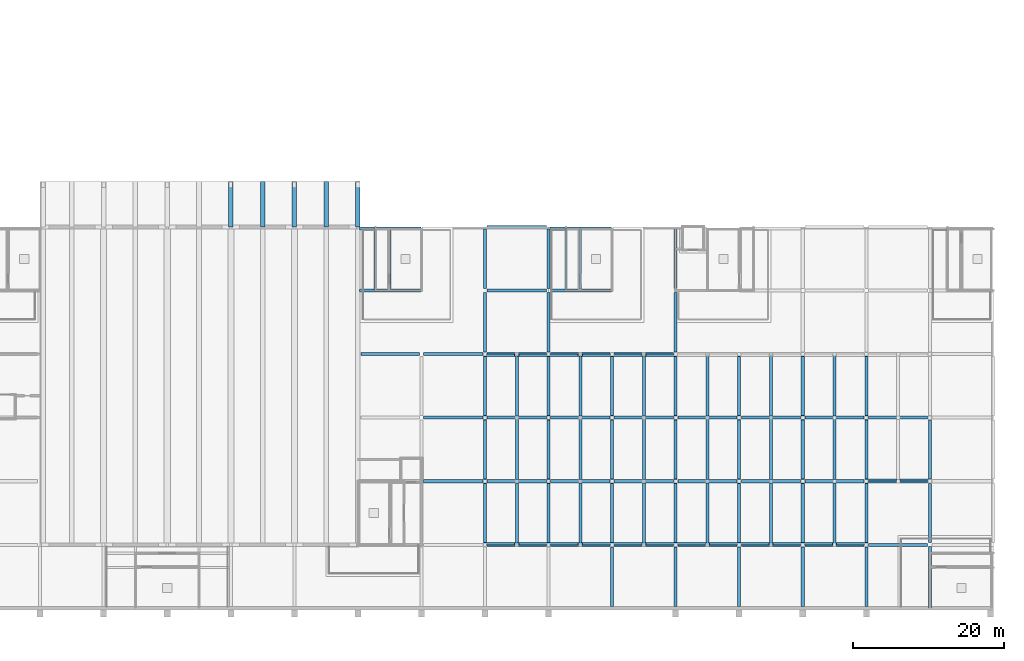
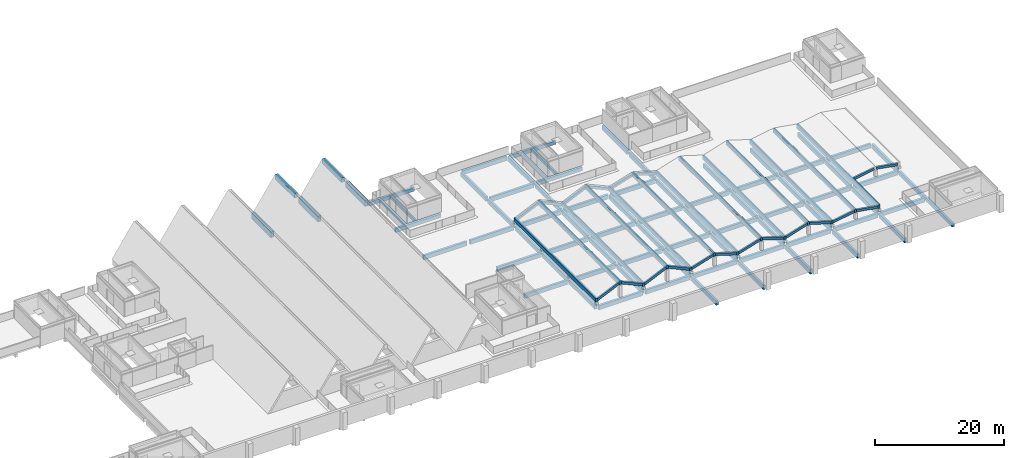
# One storey, part 2 of 24: 111 beams.
"""IFC4 building model written with IfcOpenShell, lengths in metres."""

from ifc_helpers import new_model, si_unit, direction, frame, origin, origin_2d, place, context, subcontext, project, spatial, rectangle, extrude, material, material_profile, profile_set, type_object, element, save


model = new_model("IFC4")

# Units and contexts
model_context = context("Model", 3, precision=1e-05, world=origin(), true_north=direction((0.0, 1.0)))
body_context = subcontext(model_context, "Body", "Model", "MODEL_VIEW")
ifc_project = project(units=[si_unit("LENGTHUNIT", "METRE"), si_unit("AREAUNIT", "SQUARE_METRE"), si_unit("VOLUMEUNIT", "CUBIC_METRE"), si_unit("PLANEANGLEUNIT", "RADIAN"), si_unit("MASSUNIT", "GRAM", prefix="KILO")], contexts=[model_context])

# Site, building, storey
site_placement = place(None, origin())
site = spatial("IfcSite", under=ifc_project, at=site_placement, CompositionType="ELEMENT")
building_placement = place(site_placement, origin())
building = spatial("IfcBuilding", under=site, at=building_placement, Name="Rulbaag Community and Learning Centre", CompositionType="ELEMENT")
storey_placement = place(building_placement, frame((0.0, 0.0, 14.39990234375)))
storey = spatial("IfcBuildingStorey", under=building, at=storey_placement, Name="L03", CompositionType="ELEMENT", Elevation=14.39990234375)

# Beams
ifc_material_1 = material(Name="Concrete M60", Category="concrete")
ifc_material_profile_1 = material_profile(ifc_material_1, rectangle(XDim=0.60009765625, YDim=1.10009765625, at=origin_2d()), Name="RB600x1100")
ifc_profile_set_1 = profile_set([ifc_material_profile_1], Name="Concrete M60")
beam_type_1 = type_object("IfcBeamType", Name="B3 Canopy valley cantilever beam 600x1100 Concrete M60", PredefinedType="BEAM", material=ifc_profile_set_1)
for number, where, z_axis, x_axis, name in (
    (1, (67.199951171875, 50.39990234375, -0.5498046875), (0.0, 1.0, 0.0), (-1.0, 0.0, 0.0), "BM-FV-M4-C"),
    (2, (75.60009765625, 50.39990234375, -0.5498046875), (0.0, 1.0, 0.0), (-1.0, 0.0, 0.0), "BM-FV-M5-C"),
    (3, (84.0, 50.39990234375, -0.5498046875), (0.0, 1.0, 0.0), (-1.0, 0.0, 0.0), "BM-FV-M6-C"),
):
    element("IfcBeam", number, at=place(storey_placement, frame(where, z_axis=z_axis, x_axis=x_axis)), inside=storey, type_object=beam_type_1, Name=name, PredefinedType="BEAM", context=body_context, shape_type="SweptSolid", body=[
        extrude(rectangle(XDim=0.60009765625, YDim=1.10009765625, at=origin_2d()), origin(), (0.0, 0.0, 1.0), 6.0),
    ])
ifc_material_2 = material(Name="Concrete M40", Category="concrete")
ifc_material_profile_2 = material_profile(ifc_material_2, rectangle(XDim=0.300048828125, YDim=0.60009765625, at=origin_2d()), Name="RB300x600")
ifc_profile_set_2 = profile_set([ifc_material_profile_2], Name="Concrete M40")
beam_type_2 = type_object("IfcBeamType", Name="B31 Trimmer beam 300x600 Concrete M40", PredefinedType="BEAM", material=ifc_profile_set_2)
beam_1_placement = place(storey_placement, frame((88.199951171875, 42.199951171875, -0.599853515625), z_axis=(0.0, 1.0, 0.0), x_axis=(-1.0, 0.0, 0.0)))
element("IfcBeam", 4, at=beam_1_placement, inside=storey, type_object=beam_type_2, Name="BM-TR-SH6-W", PredefinedType="BEAM", context=body_context, shape_type="SweptSolid", body=[
    extrude(rectangle(XDim=0.300048828125, YDim=0.60009765625, at=origin_2d()), origin(), (0.0, 0.0, 1.0), 8.0),
])
beam_2_placement = place(storey_placement, frame((86.300048828125, 42.10009765625, -0.599853515625), z_axis=(0.0, 1.0, 0.0), x_axis=(-1.0, 0.0, 0.0)))
element("IfcBeam", 5, at=beam_2_placement, inside=storey, type_object=beam_type_2, Name="BM-LB-SH6-O", PredefinedType="BEAM", context=body_context, shape_type="SweptSolid", body=[
    extrude(rectangle(XDim=0.300048828125, YDim=0.60009765625, at=origin_2d()), origin(), (0.0, 0.0, 1.0), 8.199951171875),
])
beam_3_placement = place(storey_placement, frame((113.39990234375, 42.199951171875, -0.599853515625), z_axis=(0.0, 1.0, 0.0), x_axis=(-1.0, 0.0, 0.0)))
element("IfcBeam", 6, at=beam_3_placement, inside=storey, type_object=beam_type_2, Name="BM-TR-SH7-W", PredefinedType="BEAM", context=body_context, shape_type="SweptSolid", body=[
    extrude(rectangle(XDim=0.300048828125, YDim=0.60009765625, at=origin_2d()), origin(), (0.0, 0.0, 1.0), 8.0),
])
beam_4_placement = place(storey_placement, frame((111.5, 42.10009765625, -0.599853515625), z_axis=(0.0, 1.0, 0.0), x_axis=(-1.0, 0.0, 0.0)))
element("IfcBeam", 7, at=beam_4_placement, inside=storey, type_object=beam_type_2, Name="BM-LB-SH7-O", PredefinedType="BEAM", context=body_context, shape_type="SweptSolid", body=[
    extrude(rectangle(XDim=0.300048828125, YDim=0.60009765625, at=origin_2d()), origin(), (0.0, 0.0, 1.0), 8.199951171875),
])
ifc_material_profile_3 = material_profile(ifc_material_2, rectangle(XDim=0.39990234375, YDim=0.699951171875, at=origin_2d()), Name="RB400x700")
ifc_profile_set_3 = profile_set([ifc_material_profile_3], Name="Concrete M40")
beam_type_3 = type_object("IfcBeamType", Name="B34 Lobby girder 400x700 Concrete M40", PredefinedType="BEAM", material=ifc_profile_set_3)
for number, where, z_axis, x_axis, name in (
    (8, (84.199951171875, 42.0, -0.599853515625), (1.0, 0.0, 0.0), (0.0, 1.0, 0.0), "BM-LBG-SH6-420"),
    (9, (84.199951171875, 50.22509765625, -0.599853515625), (1.0, 0.0, 0.0), (0.0, 1.0, 0.0), "BM-LBG-SH6-504"),
    (10, (109.39990234375, 42.0, -0.599853515625), (1.0, 0.0, 0.0), (0.0, 1.0, 0.0), "BM-LBG-SH7-420"),
    (11, (109.39990234375, 50.22509765625, -0.599853515625), (1.0, 0.0, 0.0), (0.0, 1.0, 0.0), "BM-LBG-SH7-504"),
):
    element("IfcBeam", number, at=place(storey_placement, frame(where, z_axis=z_axis, x_axis=x_axis)), inside=storey, type_object=beam_type_3, Name=name, PredefinedType="BEAM", context=body_context, shape_type="SweptSolid", body=[
        extrude(rectangle(XDim=0.39990234375, YDim=0.699951171875, at=origin_2d()), origin(), (0.0, 0.0, 1.0), 8.150146484375),
    ])
beam_5_placement = place(storey_placement, frame((159.60009765625, 0.050048828125, -0.599853515625), z_axis=(0.0, 1.0, 0.0), x_axis=(-1.0, 0.0, 0.0)))
element("IfcBeam", 12, at=beam_5_placement, inside=storey, type_object=beam_type_3, Name="BM-LBG-SH10-1596", PredefinedType="BEAM", context=body_context, shape_type="SweptSolid", body=[
    extrude(rectangle(XDim=0.39990234375, YDim=0.699951171875, at=origin_2d()), origin(), (0.0, 0.0, 1.0), 8.14990234375),
])
ifc_material_profile_4 = material_profile(ifc_material_2, rectangle(XDim=0.39990234375, YDim=0.699951171875, at=origin_2d()), Name="RB400x700")
ifc_profile_set_4 = profile_set([ifc_material_profile_4], Name="Concrete M40")
beam_type_4 = type_object("IfcBeamType", Name="B35 Roof fold beam 400x700 Concrete M40", PredefinedType="BEAM", material=ifc_profile_set_4)
for number, where, z_axis, x_axis, name in (
    (13, (100.800048828125, 8.39990234375, 0.75), (0.0, 1.0, 0.0), (-1.0, 0.0, 0.0), "BM-RF-VB13-1"),
    (14, (109.199951171875, 8.39990234375, 0.75), (0.0, 1.0, 0.0), (-1.0, 0.0, 0.0), "BM-RF-VB13-2"),
    (15, (117.60009765625, 8.39990234375, 0.75), (0.0, 1.0, 0.0), (-1.0, 0.0, 0.0), "BM-RF-VB13-3"),
    (16, (126.0, 8.39990234375, 0.75), (0.0, 1.0, 0.0), (-1.0, 0.0, 0.0), "BM-RF-VB13-4"),
    (17, (134.39990234375, 8.39990234375, 0.75), (0.0, 1.0, 0.0), (-1.0, 0.0, 0.0), "BM-RF-VB13-5"),
    (18, (142.800048828125, 8.39990234375, 0.75), (0.0, 1.0, 0.0), (-1.0, 0.0, 0.0), "BM-RF-VB13-6"),
    (19, (151.199951171875, 8.39990234375, 0.75), (0.0, 1.0, 0.0), (-1.0, 0.0, 0.0), "BM-RF-VB13-7"),
    (20, (105.0, 8.39990234375, 2.5595703125), (0.0, 1.0, 0.0), (-1.0, 0.0, 0.0), "BM-RF-RB13-1"),
    (21, (113.39990234375, 8.39990234375, 2.5595703125), (0.0, 1.0, 0.0), (-1.0, 0.0, 0.0), "BM-RF-RB13-2"),
    (22, (121.800048828125, 8.39990234375, 1.98828125), (0.0, 1.0, 0.0), (-1.0, 0.0, 0.0), "BM-RF-RB13-3"),
    (23, (130.199951171875, 8.39990234375, 1.98828125), (0.0, 1.0, 0.0), (-1.0, 0.0, 0.0), "BM-RF-RB13-4"),
    (24, (138.60009765625, 8.39990234375, 1.98828125), (0.0, 1.0, 0.0), (-1.0, 0.0, 0.0), "BM-RF-RB13-5"),
    (25, (147.0, 8.39990234375, 1.416748046875), (0.0, 1.0, 0.0), (-1.0, 0.0, 0.0), "BM-RF-RB13-6"),
):
    element("IfcBeam", number, at=place(storey_placement, frame(where, z_axis=z_axis, x_axis=x_axis)), inside=storey, type_object=beam_type_4, Name=name, PredefinedType="BEAM", context=body_context, shape_type="SweptSolid", body=[
        extrude(rectangle(XDim=0.39990234375, YDim=0.699951171875, at=origin_2d()), origin(), (0.0, 0.0, 1.0), 25.2001953125),
    ])
ifc_material_profile_5 = material_profile(ifc_material_2, rectangle(XDim=0.300048828125, YDim=0.449951171875, at=origin_2d()), Name="RB300x450")
ifc_profile_set_5 = profile_set([ifc_material_profile_5], Name="Concrete M40")
beam_type_5 = type_object("IfcBeamType", Name="B36 Fold end rib 300x450 Concrete M40", PredefinedType="BEAM", material=ifc_profile_set_5)
for number, where, z_axis, x_axis, name in (
    (26, (101.0, 8.550048828125, 0.7734375), (0.911114726677, 0.0, 0.412152829459), (0.0, 1.0, 0.0), "BM-RF-EB13-1a1"),
    (27, (101.0, 33.449951171875, 0.7734375), (0.911114726677, 0.0, 0.412152829459), (0.0, 1.0, 0.0), "BM-RF-EB13-1a2"),
    (28, (105.199951171875, 8.550048828125, 2.492431640625), (0.911114726677, 0.0, -0.412152829459), (0.0, 1.0, 0.0), "BM-RF-EB13-1b1"),
    (29, (105.199951171875, 33.449951171875, 2.492431640625), (0.911114726677, 0.0, -0.412152829459), (0.0, 1.0, 0.0), "BM-RF-EB13-1b2"),
    (30, (109.39990234375, 8.550048828125, 0.7734375), (0.911114726677, 0.0, 0.412152829459), (0.0, 1.0, 0.0), "BM-RF-EB13-2a1"),
    (31, (109.39990234375, 33.449951171875, 0.7734375), (0.911114726677, 0.0, 0.412152829459), (0.0, 1.0, 0.0), "BM-RF-EB13-2a2"),
    (32, (113.60009765625, 8.550048828125, 2.492431640625), (0.911104782354, 0.0, -0.412174811909), (0.0, 1.0, 0.0), "BM-RF-EB13-2b1"),
    (33, (113.60009765625, 33.449951171875, 2.492431640625), (0.911104782354, 0.0, -0.412174811909), (0.0, 1.0, 0.0), "BM-RF-EB13-2b2"),
):
    element("IfcBeam", number, at=place(storey_placement, frame(where, z_axis=z_axis, x_axis=x_axis)), inside=storey, type_object=beam_type_5, Name=name, PredefinedType="BEAM", context=body_context, shape_type="SweptSolid", body=[
        extrude(rectangle(XDim=0.300048828125, YDim=0.449951171875, at=origin_2d()), origin(), (0.0, 0.0, 1.0), 4.170654296875),
    ])
for number, where, z_axis, x_axis, name in (
    (34, (117.800048828125, 8.550048828125, 0.75390625), (0.955298685473, 0.0, 0.295642387917), (0.0, 1.0, 0.0), "BM-RF-EB13-3a1"),
    (35, (117.800048828125, 33.449951171875, 0.75390625), (0.955298685473, 0.0, 0.295642387917), (0.0, 1.0, 0.0), "BM-RF-EB13-3a2"),
    (36, (122.0, 8.550048828125, 1.929931640625), (0.955298685473, 0.0, -0.295642387917), (0.0, 1.0, 0.0), "BM-RF-EB13-3b1"),
    (37, (122.0, 33.449951171875, 1.929931640625), (0.955298685473, 0.0, -0.295642387917), (0.0, 1.0, 0.0), "BM-RF-EB13-3b2"),
    (38, (126.199951171875, 8.550048828125, 0.75390625), (0.955298685473, 0.0, 0.295642387917), (0.0, 1.0, 0.0), "BM-RF-EB13-4a1"),
    (39, (130.39990234375, 8.550048828125, 1.929931640625), (0.955298685473, 0.0, -0.295642387917), (0.0, 1.0, 0.0), "BM-RF-EB13-4b1"),
):
    element("IfcBeam", number, at=place(storey_placement, frame(where, z_axis=z_axis, x_axis=x_axis)), inside=storey, type_object=beam_type_5, Name=name, PredefinedType="BEAM", context=body_context, shape_type="SweptSolid", body=[
        extrude(rectangle(XDim=0.300048828125, YDim=0.449951171875, at=origin_2d()), origin(), (0.0, 0.0, 1.0), 3.977783203125),
    ])
beam_6_placement = place(storey_placement, frame((134.60009765625, 8.550048828125, 0.75390625), z_axis=(0.955293320573, 0.0, 0.29565972277), x_axis=(0.0, 1.0, 0.0)))
element("IfcBeam", 40, at=beam_6_placement, inside=storey, type_object=beam_type_5, Name="BM-RF-EB13-5a1", PredefinedType="BEAM", context=body_context, shape_type="SweptSolid", body=[
    extrude(rectangle(XDim=0.300048828125, YDim=0.449951171875, at=origin_2d()), origin(), (0.0, 0.0, 1.0), 3.9775390625),
])
beam_7_placement = place(storey_placement, frame((138.800048828125, 8.550048828125, 1.929931640625), z_axis=(0.955298685473, 0.0, -0.295642387917), x_axis=(0.0, 1.0, 0.0)))
element("IfcBeam", 41, at=beam_7_placement, inside=storey, type_object=beam_type_5, Name="BM-RF-EB13-5b1", PredefinedType="BEAM", context=body_context, shape_type="SweptSolid", body=[
    extrude(rectangle(XDim=0.300048828125, YDim=0.449951171875, at=origin_2d()), origin(), (0.0, 0.0, 1.0), 3.977783203125),
])
for number, where, z_axis, x_axis, name in (
    (42, (143.0, 8.550048828125, 0.73095703125), (0.986385358709, 0.0, 0.164450369794), (0.0, 1.0, 0.0), "BM-RF-EB13-6a1"),
    (43, (147.199951171875, 8.550048828125, 1.364501953125), (0.986385358709, 0.0, -0.164450369794), (0.0, 1.0, 0.0), "BM-RF-EB13-6b1"),
    (44, (151.39990234375, 16.949951171875, 0.73095703125), (0.986385358709, 0.0, 0.164450369794), (0.0, 1.0, 0.0), "BM-RF-EC19-1a1"),
):
    element("IfcBeam", number, at=place(storey_placement, frame(where, z_axis=z_axis, x_axis=x_axis)), inside=storey, type_object=beam_type_5, Name=name, PredefinedType="BEAM", context=body_context, shape_type="SweptSolid", body=[
        extrude(rectangle(XDim=0.300048828125, YDim=0.449951171875, at=origin_2d()), origin(), (0.0, 0.0, 1.0), 3.8525390625),
    ])
beam_8_placement = place(storey_placement, frame((155.60009765625, 16.949951171875, 1.364501953125), z_axis=(0.98638364472, 0.0, -0.164460650093), x_axis=(0.0, 1.0, 0.0)))
element("IfcBeam", 45, at=beam_8_placement, inside=storey, type_object=beam_type_5, Name="BM-RF-EC19-1b1", PredefinedType="BEAM", context=body_context, shape_type="SweptSolid", body=[
    extrude(rectangle(XDim=0.300048828125, YDim=0.449951171875, at=origin_2d()), origin(), (0.0, 0.0, 1.0), 3.852294921875),
])
ifc_material_profile_6 = material_profile(ifc_material_2, rectangle(XDim=0.60009765625, YDim=0.85009765625, at=origin_2d()), Name="RB600x850")
ifc_profile_set_6 = profile_set([ifc_material_profile_6], Name="Concrete M40")
beam_type_6 = type_object("IfcBeamType", Name="B4 Canopy ridge cantilever beam 600x850 Concrete M40", PredefinedType="BEAM", material=ifc_profile_set_6)
for number, where, z_axis, x_axis, name in (
    (46, (71.39990234375, 50.39990234375, 5.332275390625), (0.0, 1.0, 0.0), (-1.0, 0.0, 0.0), "BM-FR-M4-C"),
    (47, (79.800048828125, 50.39990234375, 5.332275390625), (0.0, 1.0, 0.0), (-1.0, 0.0, 0.0), "BM-FR-M5-C"),
):
    element("IfcBeam", number, at=place(storey_placement, frame(where, z_axis=z_axis, x_axis=x_axis)), inside=storey, type_object=beam_type_6, Name=name, PredefinedType="BEAM", context=body_context, shape_type="SweptSolid", body=[
        extrude(rectangle(XDim=0.60009765625, YDim=0.85009765625, at=origin_2d()), origin(), (0.0, 0.0, 1.0), 6.0),
    ])
ifc_material_profile_7 = material_profile(ifc_material_2, rectangle(XDim=0.39990234375, YDim=0.800048828125, at=origin_2d()), Name="RB400x800")
ifc_profile_set_7 = profile_set([ifc_material_profile_7], Name="Concrete M40")
beam_type_7 = type_object("IfcBeamType", Name="B9 Terrace beam 400x800 Concrete M40", PredefinedType="BEAM", material=ifc_profile_set_7)
beam_9_placement = place(storey_placement, frame((84.3798828125, 33.60009765625, -0.699951171875), z_axis=(1.0, 0.0, 0.0), x_axis=(0.0, 1.0, 0.0)))
element("IfcBeam", 48, at=beam_9_placement, inside=storey, type_object=beam_type_7, Name="BM-L03-11E-12E", PredefinedType="BEAM", context=body_context, shape_type="SweptSolid", body=[
    extrude(rectangle(XDim=0.39990234375, YDim=0.800048828125, at=origin_2d()), origin(), (0.0, 0.0, 1.0), 7.740234375),
])
for number, where, z_axis, x_axis, name in (
    (49, (92.679931640625, 16.800048828125, -0.699951171875), (1.0, 0.0, 0.0), (0.0, 1.0, 0.0), "BM-L03-12C-13C"),
    (50, (92.679931640625, 25.199951171875, -0.699951171875), (1.0, 0.0, 0.0), (0.0, 1.0, 0.0), "BM-L03-12D-13D"),
    (51, (92.679931640625, 33.60009765625, -0.699951171875), (1.0, 0.0, 0.0), (0.0, 1.0, 0.0), "BM-L03-12E-13E"),
):
    element("IfcBeam", number, at=place(storey_placement, frame(where, z_axis=z_axis, x_axis=x_axis)), inside=storey, type_object=beam_type_7, Name=name, PredefinedType="BEAM", context=body_context, shape_type="SweptSolid", body=[
        extrude(rectangle(XDim=0.39990234375, YDim=0.800048828125, at=origin_2d()), origin(), (0.0, 0.0, 1.0), 7.840087890625),
    ])
beam_10_placement = place(storey_placement, frame((101.080078125, 8.39990234375, -0.699951171875), z_axis=(1.0, 0.0, 0.0), x_axis=(0.0, 1.0, 0.0)))
element("IfcBeam", 52, at=beam_10_placement, inside=storey, type_object=beam_type_7, Name="BM-L03-13B-14B", PredefinedType="BEAM", context=body_context, shape_type="SweptSolid", body=[
    extrude(rectangle(XDim=0.39990234375, YDim=0.800048828125, at=origin_2d()), origin(), (0.0, 0.0, 1.0), 7.83984375),
])
beam_11_placement = place(storey_placement, frame((100.800048828125, 8.679931640625, -0.699951171875), z_axis=(0.0, 1.0, 0.0), x_axis=(-1.0, 0.0, 0.0)))
element("IfcBeam", 53, at=beam_11_placement, inside=storey, type_object=beam_type_7, Name="BM-L03-13B-13C", PredefinedType="BEAM", context=body_context, shape_type="SweptSolid", body=[
    extrude(rectangle(XDim=0.39990234375, YDim=0.800048828125, at=origin_2d()), origin(), (0.0, 0.0, 1.0), 7.840087890625),
])
for number, where, z_axis, x_axis, name in (
    (54, (101.080078125, 16.800048828125, -0.699951171875), (1.0, 0.0, 0.0), (0.0, 1.0, 0.0), "BM-L03-13C-14C"),
    (55, (100.800048828125, 17.080078125, -0.699951171875), (0.0, 1.0, 0.0), (-1.0, 0.0, 0.0), "BM-L03-13C-13D"),
    (56, (101.080078125, 25.199951171875, -0.699951171875), (1.0, 0.0, 0.0), (0.0, 1.0, 0.0), "BM-L03-13D-14D"),
):
    element("IfcBeam", number, at=place(storey_placement, frame(where, z_axis=z_axis, x_axis=x_axis)), inside=storey, type_object=beam_type_7, Name=name, PredefinedType="BEAM", context=body_context, shape_type="SweptSolid", body=[
        extrude(rectangle(XDim=0.39990234375, YDim=0.800048828125, at=origin_2d()), origin(), (0.0, 0.0, 1.0), 7.83984375),
    ])
beam_12_placement = place(storey_placement, frame((100.800048828125, 25.47998046875, -0.699951171875), z_axis=(0.0, 1.0, 0.0), x_axis=(-1.0, 0.0, 0.0)))
element("IfcBeam", 57, at=beam_12_placement, inside=storey, type_object=beam_type_7, Name="BM-L03-13D-13E", PredefinedType="BEAM", context=body_context, shape_type="SweptSolid", body=[
    extrude(rectangle(XDim=0.39990234375, YDim=0.800048828125, at=origin_2d()), origin(), (0.0, 0.0, 1.0), 7.840087890625),
])
beam_13_placement = place(storey_placement, frame((101.080078125, 33.60009765625, -0.699951171875), z_axis=(1.0, 0.0, 0.0), x_axis=(0.0, 1.0, 0.0)))
element("IfcBeam", 58, at=beam_13_placement, inside=storey, type_object=beam_type_7, Name="BM-L03-13E-14E", PredefinedType="BEAM", context=body_context, shape_type="SweptSolid", body=[
    extrude(rectangle(XDim=0.39990234375, YDim=0.800048828125, at=origin_2d()), origin(), (0.0, 0.0, 1.0), 7.83984375),
])
beam_14_placement = place(storey_placement, frame((100.800048828125, 33.8798828125, -0.699951171875), z_axis=(0.0, 1.0, 0.0), x_axis=(-1.0, 0.0, 0.0)))
element("IfcBeam", 59, at=beam_14_placement, inside=storey, type_object=beam_type_7, Name="BM-L03-13E-13F", PredefinedType="BEAM", context=body_context, shape_type="SweptSolid", body=[
    extrude(rectangle(XDim=0.39990234375, YDim=0.800048828125, at=origin_2d()), origin(), (0.0, 0.0, 1.0), 7.840087890625),
])
beam_15_placement = place(storey_placement, frame((101.080078125, 42.0, -0.699951171875), z_axis=(1.0, 0.0, 0.0), x_axis=(0.0, 1.0, 0.0)))
element("IfcBeam", 60, at=beam_15_placement, inside=storey, type_object=beam_type_7, Name="BM-L03-13F-14F", PredefinedType="BEAM", context=body_context, shape_type="SweptSolid", body=[
    extrude(rectangle(XDim=0.39990234375, YDim=0.800048828125, at=origin_2d()), origin(), (0.0, 0.0, 1.0), 7.83984375),
])
beam_16_placement = place(storey_placement, frame((100.800048828125, 42.280029296875, -0.699951171875), z_axis=(0.0, 1.0, 0.0), x_axis=(-1.0, 0.0, 0.0)))
element("IfcBeam", 61, at=beam_16_placement, inside=storey, type_object=beam_type_7, Name="BM-L03-13F-13G", PredefinedType="BEAM", context=body_context, shape_type="SweptSolid", body=[
    extrude(rectangle(XDim=0.39990234375, YDim=0.800048828125, at=origin_2d()), origin(), (0.0, 0.0, 1.0), 7.840087890625),
])
beam_17_placement = place(storey_placement, frame((101.080078125, 50.39990234375, -0.699951171875), z_axis=(1.0, 0.0, 0.0), x_axis=(0.0, 1.0, 0.0)))
element("IfcBeam", 62, at=beam_17_placement, inside=storey, type_object=beam_type_7, Name="BM-L03-13G-14G", PredefinedType="BEAM", context=body_context, shape_type="SweptSolid", body=[
    extrude(rectangle(XDim=0.39990234375, YDim=0.800048828125, at=origin_2d()), origin(), (0.0, 0.0, 1.0), 7.83984375),
])
for number, where, z_axis, x_axis, name in (
    (63, (109.47998046875, 8.39990234375, -0.699951171875), (1.0, 0.0, 0.0), (0.0, 1.0, 0.0), "BM-L03-14B-15B"),
    (64, (109.199951171875, 8.679931640625, -0.699951171875), (0.0, 1.0, 0.0), (-1.0, 0.0, 0.0), "BM-L03-14B-14C"),
    (65, (109.47998046875, 16.800048828125, -0.699951171875), (1.0, 0.0, 0.0), (0.0, 1.0, 0.0), "BM-L03-14C-15C"),
):
    element("IfcBeam", number, at=place(storey_placement, frame(where, z_axis=z_axis, x_axis=x_axis)), inside=storey, type_object=beam_type_7, Name=name, PredefinedType="BEAM", context=body_context, shape_type="SweptSolid", body=[
        extrude(rectangle(XDim=0.39990234375, YDim=0.800048828125, at=origin_2d()), origin(), (0.0, 0.0, 1.0), 7.840087890625),
    ])
beam_18_placement = place(storey_placement, frame((109.199951171875, 17.080078125, -0.699951171875), z_axis=(0.0, 1.0, 0.0), x_axis=(-1.0, 0.0, 0.0)))
element("IfcBeam", 66, at=beam_18_placement, inside=storey, type_object=beam_type_7, Name="BM-L03-14C-14D", PredefinedType="BEAM", context=body_context, shape_type="SweptSolid", body=[
    extrude(rectangle(XDim=0.39990234375, YDim=0.800048828125, at=origin_2d()), origin(), (0.0, 0.0, 1.0), 7.83984375),
])
for number, where, z_axis, x_axis, name in (
    (67, (109.47998046875, 25.199951171875, -0.699951171875), (1.0, 0.0, 0.0), (0.0, 1.0, 0.0), "BM-L03-14D-15D"),
    (68, (109.199951171875, 25.47998046875, -0.699951171875), (0.0, 1.0, 0.0), (-1.0, 0.0, 0.0), "BM-L03-14D-14E"),
    (69, (109.47998046875, 33.60009765625, -0.699951171875), (1.0, 0.0, 0.0), (0.0, 1.0, 0.0), "BM-L03-14E-15E"),
    (70, (109.199951171875, 33.8798828125, -0.699951171875), (0.0, 1.0, 0.0), (-1.0, 0.0, 0.0), "BM-L03-14E-14F"),
    (71, (109.199951171875, 42.280029296875, -0.699951171875), (0.0, 1.0, 0.0), (-1.0, 0.0, 0.0), "BM-L03-14F-14G"),
):
    element("IfcBeam", number, at=place(storey_placement, frame(where, z_axis=z_axis, x_axis=x_axis)), inside=storey, type_object=beam_type_7, Name=name, PredefinedType="BEAM", context=body_context, shape_type="SweptSolid", body=[
        extrude(rectangle(XDim=0.39990234375, YDim=0.800048828125, at=origin_2d()), origin(), (0.0, 0.0, 1.0), 7.840087890625),
    ])
beam_19_placement = place(storey_placement, frame((117.60009765625, 0.22509765625, -0.699951171875), z_axis=(0.0, 1.0, 0.0), x_axis=(-1.0, 0.0, 0.0)))
element("IfcBeam", 72, at=beam_19_placement, inside=storey, type_object=beam_type_7, Name="BM-L03-15A-15B", PredefinedType="BEAM", context=body_context, shape_type="SweptSolid", body=[
    extrude(rectangle(XDim=0.39990234375, YDim=0.800048828125, at=origin_2d()), origin(), (0.0, 0.0, 1.0), 7.89501953125),
])
for number, where, z_axis, x_axis, name in (
    (73, (117.8798828125, 8.39990234375, -0.699951171875), (1.0, 0.0, 0.0), (0.0, 1.0, 0.0), "BM-L03-15B-16B"),
    (74, (117.60009765625, 8.679931640625, -0.699951171875), (0.0, 1.0, 0.0), (-1.0, 0.0, 0.0), "BM-L03-15B-15C"),
    (75, (117.8798828125, 16.800048828125, -0.699951171875), (1.0, 0.0, 0.0), (0.0, 1.0, 0.0), "BM-L03-15C-16C"),
):
    element("IfcBeam", number, at=place(storey_placement, frame(where, z_axis=z_axis, x_axis=x_axis)), inside=storey, type_object=beam_type_7, Name=name, PredefinedType="BEAM", context=body_context, shape_type="SweptSolid", body=[
        extrude(rectangle(XDim=0.39990234375, YDim=0.800048828125, at=origin_2d()), origin(), (0.0, 0.0, 1.0), 7.840087890625),
    ])
beam_20_placement = place(storey_placement, frame((117.60009765625, 17.080078125, -0.699951171875), z_axis=(0.0, 1.0, 0.0), x_axis=(-1.0, 0.0, 0.0)))
element("IfcBeam", 76, at=beam_20_placement, inside=storey, type_object=beam_type_7, Name="BM-L03-15C-15D", PredefinedType="BEAM", context=body_context, shape_type="SweptSolid", body=[
    extrude(rectangle(XDim=0.39990234375, YDim=0.800048828125, at=origin_2d()), origin(), (0.0, 0.0, 1.0), 7.83984375),
])
for number, where, z_axis, x_axis, name in (
    (77, (117.8798828125, 25.199951171875, -0.699951171875), (1.0, 0.0, 0.0), (0.0, 1.0, 0.0), "BM-L03-15D-16D"),
    (78, (117.60009765625, 25.47998046875, -0.699951171875), (0.0, 1.0, 0.0), (-1.0, 0.0, 0.0), "BM-L03-15D-15E"),
    (79, (117.8798828125, 33.60009765625, -0.699951171875), (1.0, 0.0, 0.0), (0.0, 1.0, 0.0), "BM-L03-15E-16E"),
):
    element("IfcBeam", number, at=place(storey_placement, frame(where, z_axis=z_axis, x_axis=x_axis)), inside=storey, type_object=beam_type_7, Name=name, PredefinedType="BEAM", context=body_context, shape_type="SweptSolid", body=[
        extrude(rectangle(XDim=0.39990234375, YDim=0.800048828125, at=origin_2d()), origin(), (0.0, 0.0, 1.0), 7.840087890625),
    ])
beam_21_placement = place(storey_placement, frame((126.0, 0.22509765625, -0.699951171875), z_axis=(0.0, 1.0, 0.0), x_axis=(-1.0, 0.0, 0.0)))
element("IfcBeam", 80, at=beam_21_placement, inside=storey, type_object=beam_type_7, Name="BM-L03-16A-16B", PredefinedType="BEAM", context=body_context, shape_type="SweptSolid", body=[
    extrude(rectangle(XDim=0.39990234375, YDim=0.800048828125, at=origin_2d()), origin(), (0.0, 0.0, 1.0), 7.89501953125),
])
for number, where, z_axis, x_axis, name in (
    (81, (126.280029296875, 8.39990234375, -0.699951171875), (1.0, 0.0, 0.0), (0.0, 1.0, 0.0), "BM-L03-16B-17B"),
    (82, (126.0, 8.679931640625, -0.699951171875), (0.0, 1.0, 0.0), (-1.0, 0.0, 0.0), "BM-L03-16B-16C"),
    (83, (126.280029296875, 16.800048828125, -0.699951171875), (1.0, 0.0, 0.0), (0.0, 1.0, 0.0), "BM-L03-16C-17C"),
):
    element("IfcBeam", number, at=place(storey_placement, frame(where, z_axis=z_axis, x_axis=x_axis)), inside=storey, type_object=beam_type_7, Name=name, PredefinedType="BEAM", context=body_context, shape_type="SweptSolid", body=[
        extrude(rectangle(XDim=0.39990234375, YDim=0.800048828125, at=origin_2d()), origin(), (0.0, 0.0, 1.0), 7.840087890625),
    ])
beam_22_placement = place(storey_placement, frame((126.0, 17.080078125, -0.699951171875), z_axis=(0.0, 1.0, 0.0), x_axis=(-1.0, 0.0, 0.0)))
element("IfcBeam", 84, at=beam_22_placement, inside=storey, type_object=beam_type_7, Name="BM-L03-16C-16D", PredefinedType="BEAM", context=body_context, shape_type="SweptSolid", body=[
    extrude(rectangle(XDim=0.39990234375, YDim=0.800048828125, at=origin_2d()), origin(), (0.0, 0.0, 1.0), 7.83984375),
])
for number, where, z_axis, x_axis, name in (
    (85, (126.280029296875, 25.199951171875, -0.699951171875), (1.0, 0.0, 0.0), (0.0, 1.0, 0.0), "BM-L03-16D-17D"),
    (86, (126.0, 25.47998046875, -0.699951171875), (0.0, 1.0, 0.0), (-1.0, 0.0, 0.0), "BM-L03-16D-16E"),
    (87, (126.0, 33.8798828125, -0.699951171875), (0.0, 1.0, 0.0), (-1.0, 0.0, 0.0), "BM-L03-16E-16F"),
    (88, (126.0, 42.280029296875, -0.699951171875), (0.0, 1.0, 0.0), (-1.0, 0.0, 0.0), "BM-L03-16F-16G"),
):
    element("IfcBeam", number, at=place(storey_placement, frame(where, z_axis=z_axis, x_axis=x_axis)), inside=storey, type_object=beam_type_7, Name=name, PredefinedType="BEAM", context=body_context, shape_type="SweptSolid", body=[
        extrude(rectangle(XDim=0.39990234375, YDim=0.800048828125, at=origin_2d()), origin(), (0.0, 0.0, 1.0), 7.840087890625),
    ])
beam_23_placement = place(storey_placement, frame((134.39990234375, 0.22509765625, -0.699951171875), z_axis=(0.0, 1.0, 0.0), x_axis=(-1.0, 0.0, 0.0)))
element("IfcBeam", 89, at=beam_23_placement, inside=storey, type_object=beam_type_7, Name="BM-L03-17A-17B", PredefinedType="BEAM", context=body_context, shape_type="SweptSolid", body=[
    extrude(rectangle(XDim=0.39990234375, YDim=0.800048828125, at=origin_2d()), origin(), (0.0, 0.0, 1.0), 7.89501953125),
])
for number, where, z_axis, x_axis, name in (
    (90, (134.679931640625, 8.39990234375, -0.699951171875), (1.0, 0.0, 0.0), (0.0, 1.0, 0.0), "BM-L03-17B-18B"),
    (91, (134.39990234375, 8.679931640625, -0.699951171875), (0.0, 1.0, 0.0), (-1.0, 0.0, 0.0), "BM-L03-17B-17C"),
    (92, (134.679931640625, 16.800048828125, -0.699951171875), (1.0, 0.0, 0.0), (0.0, 1.0, 0.0), "BM-L03-17C-18C"),
):
    element("IfcBeam", number, at=place(storey_placement, frame(where, z_axis=z_axis, x_axis=x_axis)), inside=storey, type_object=beam_type_7, Name=name, PredefinedType="BEAM", context=body_context, shape_type="SweptSolid", body=[
        extrude(rectangle(XDim=0.39990234375, YDim=0.800048828125, at=origin_2d()), origin(), (0.0, 0.0, 1.0), 7.840087890625),
    ])
beam_24_placement = place(storey_placement, frame((134.39990234375, 17.080078125, -0.699951171875), z_axis=(0.0, 1.0, 0.0), x_axis=(-1.0, 0.0, 0.0)))
element("IfcBeam", 93, at=beam_24_placement, inside=storey, type_object=beam_type_7, Name="BM-L03-17C-17D", PredefinedType="BEAM", context=body_context, shape_type="SweptSolid", body=[
    extrude(rectangle(XDim=0.39990234375, YDim=0.800048828125, at=origin_2d()), origin(), (0.0, 0.0, 1.0), 7.83984375),
])
for number, where, z_axis, x_axis, name in (
    (94, (134.679931640625, 25.199951171875, -0.699951171875), (1.0, 0.0, 0.0), (0.0, 1.0, 0.0), "BM-L03-17D-18D"),
    (95, (134.39990234375, 25.47998046875, -0.699951171875), (0.0, 1.0, 0.0), (-1.0, 0.0, 0.0), "BM-L03-17D-17E"),
):
    element("IfcBeam", number, at=place(storey_placement, frame(where, z_axis=z_axis, x_axis=x_axis)), inside=storey, type_object=beam_type_7, Name=name, PredefinedType="BEAM", context=body_context, shape_type="SweptSolid", body=[
        extrude(rectangle(XDim=0.39990234375, YDim=0.800048828125, at=origin_2d()), origin(), (0.0, 0.0, 1.0), 7.840087890625),
    ])
beam_25_placement = place(storey_placement, frame((142.800048828125, 0.22509765625, -0.699951171875), z_axis=(0.0, 1.0, 0.0), x_axis=(-1.0, 0.0, 0.0)))
element("IfcBeam", 96, at=beam_25_placement, inside=storey, type_object=beam_type_7, Name="BM-L03-18A-18B", PredefinedType="BEAM", context=body_context, shape_type="SweptSolid", body=[
    extrude(rectangle(XDim=0.39990234375, YDim=0.800048828125, at=origin_2d()), origin(), (0.0, 0.0, 1.0), 7.89501953125),
])
beam_26_placement = place(storey_placement, frame((143.080078125, 8.39990234375, -0.699951171875), z_axis=(1.0, 0.0, 0.0), x_axis=(0.0, 1.0, 0.0)))
element("IfcBeam", 97, at=beam_26_placement, inside=storey, type_object=beam_type_7, Name="BM-L03-18B-19B", PredefinedType="BEAM", context=body_context, shape_type="SweptSolid", body=[
    extrude(rectangle(XDim=0.39990234375, YDim=0.800048828125, at=origin_2d()), origin(), (0.0, 0.0, 1.0), 7.83984375),
])
beam_27_placement = place(storey_placement, frame((142.800048828125, 8.679931640625, -0.699951171875), z_axis=(0.0, 1.0, 0.0), x_axis=(-1.0, 0.0, 0.0)))
element("IfcBeam", 98, at=beam_27_placement, inside=storey, type_object=beam_type_7, Name="BM-L03-18B-18C", PredefinedType="BEAM", context=body_context, shape_type="SweptSolid", body=[
    extrude(rectangle(XDim=0.39990234375, YDim=0.800048828125, at=origin_2d()), origin(), (0.0, 0.0, 1.0), 7.840087890625),
])
for number, where, z_axis, x_axis, name in (
    (99, (143.080078125, 16.800048828125, -0.699951171875), (1.0, 0.0, 0.0), (0.0, 1.0, 0.0), "BM-L03-18C-19C"),
    (100, (142.800048828125, 17.080078125, -0.699951171875), (0.0, 1.0, 0.0), (-1.0, 0.0, 0.0), "BM-L03-18C-18D"),
    (101, (143.080078125, 25.199951171875, -0.699951171875), (1.0, 0.0, 0.0), (0.0, 1.0, 0.0), "BM-L03-18D-19D"),
):
    element("IfcBeam", number, at=place(storey_placement, frame(where, z_axis=z_axis, x_axis=x_axis)), inside=storey, type_object=beam_type_7, Name=name, PredefinedType="BEAM", context=body_context, shape_type="SweptSolid", body=[
        extrude(rectangle(XDim=0.39990234375, YDim=0.800048828125, at=origin_2d()), origin(), (0.0, 0.0, 1.0), 7.83984375),
    ])
beam_28_placement = place(storey_placement, frame((142.800048828125, 25.47998046875, -0.699951171875), z_axis=(0.0, 1.0, 0.0), x_axis=(-1.0, 0.0, 0.0)))
element("IfcBeam", 102, at=beam_28_placement, inside=storey, type_object=beam_type_7, Name="BM-L03-18D-18E", PredefinedType="BEAM", context=body_context, shape_type="SweptSolid", body=[
    extrude(rectangle(XDim=0.39990234375, YDim=0.800048828125, at=origin_2d()), origin(), (0.0, 0.0, 1.0), 7.840087890625),
])
beam_29_placement = place(storey_placement, frame((151.199951171875, 0.22509765625, -0.699951171875), z_axis=(0.0, 1.0, 0.0), x_axis=(-1.0, 0.0, 0.0)))
element("IfcBeam", 103, at=beam_29_placement, inside=storey, type_object=beam_type_7, Name="BM-L03-19A-19B", PredefinedType="BEAM", context=body_context, shape_type="SweptSolid", body=[
    extrude(rectangle(XDim=0.39990234375, YDim=0.800048828125, at=origin_2d()), origin(), (0.0, 0.0, 1.0), 7.89501953125),
])
for number, where, z_axis, x_axis, name in (
    (104, (151.47998046875, 8.39990234375, -0.699951171875), (1.0, 0.0, 0.0), (0.0, 1.0, 0.0), "BM-L03-19B-20B"),
    (105, (151.199951171875, 8.679931640625, -0.699951171875), (0.0, 1.0, 0.0), (-1.0, 0.0, 0.0), "BM-L03-19B-19C"),
    (106, (151.47998046875, 16.800048828125, -0.699951171875), (1.0, 0.0, 0.0), (0.0, 1.0, 0.0), "BM-L03-19C-20C"),
):
    element("IfcBeam", number, at=place(storey_placement, frame(where, z_axis=z_axis, x_axis=x_axis)), inside=storey, type_object=beam_type_7, Name=name, PredefinedType="BEAM", context=body_context, shape_type="SweptSolid", body=[
        extrude(rectangle(XDim=0.39990234375, YDim=0.800048828125, at=origin_2d()), origin(), (0.0, 0.0, 1.0), 7.840087890625),
    ])
beam_30_placement = place(storey_placement, frame((151.199951171875, 17.080078125, -0.699951171875), z_axis=(0.0, 1.0, 0.0), x_axis=(-1.0, 0.0, 0.0)))
element("IfcBeam", 107, at=beam_30_placement, inside=storey, type_object=beam_type_7, Name="BM-L03-19C-19D", PredefinedType="BEAM", context=body_context, shape_type="SweptSolid", body=[
    extrude(rectangle(XDim=0.39990234375, YDim=0.800048828125, at=origin_2d()), origin(), (0.0, 0.0, 1.0), 7.83984375),
])
for number, where, z_axis, x_axis, name in (
    (108, (151.47998046875, 25.199951171875, -0.699951171875), (1.0, 0.0, 0.0), (0.0, 1.0, 0.0), "BM-L03-19D-20D"),
    (109, (151.199951171875, 25.47998046875, -0.699951171875), (0.0, 1.0, 0.0), (-1.0, 0.0, 0.0), "BM-L03-19D-19E"),
    (110, (159.60009765625, 8.679931640625, -0.699951171875), (0.0, 1.0, 0.0), (-1.0, 0.0, 0.0), "BM-L03-20B-20C"),
):
    element("IfcBeam", number, at=place(storey_placement, frame(where, z_axis=z_axis, x_axis=x_axis)), inside=storey, type_object=beam_type_7, Name=name, PredefinedType="BEAM", context=body_context, shape_type="SweptSolid", body=[
        extrude(rectangle(XDim=0.39990234375, YDim=0.800048828125, at=origin_2d()), origin(), (0.0, 0.0, 1.0), 7.840087890625),
    ])
beam_31_placement = place(storey_placement, frame((159.60009765625, 17.080078125, -0.699951171875), z_axis=(0.0, 1.0, 0.0), x_axis=(-1.0, 0.0, 0.0)))
element("IfcBeam", 111, at=beam_31_placement, inside=storey, type_object=beam_type_7, Name="BM-L03-20C-20D", PredefinedType="BEAM", context=body_context, shape_type="SweptSolid", body=[
    extrude(rectangle(XDim=0.39990234375, YDim=0.800048828125, at=origin_2d()), origin(), (0.0, 0.0, 1.0), 7.83984375),
])

save(model, "model.ifc")
